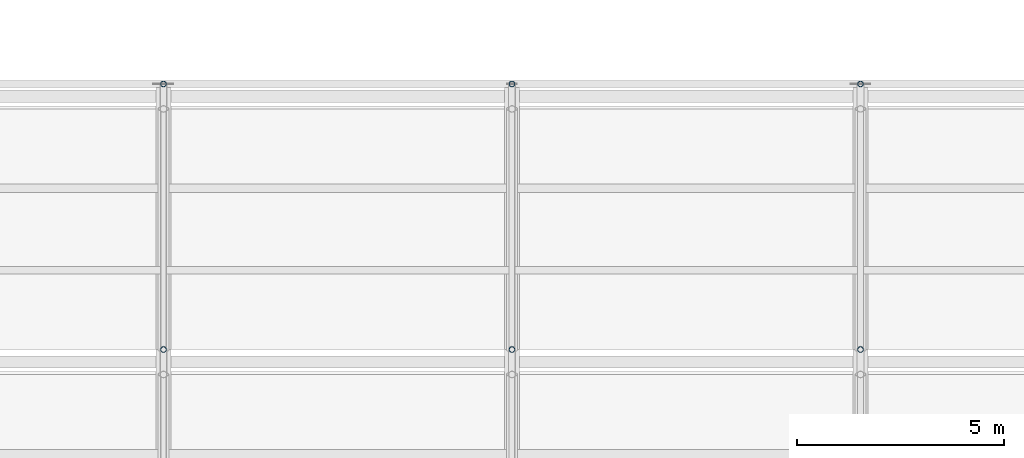
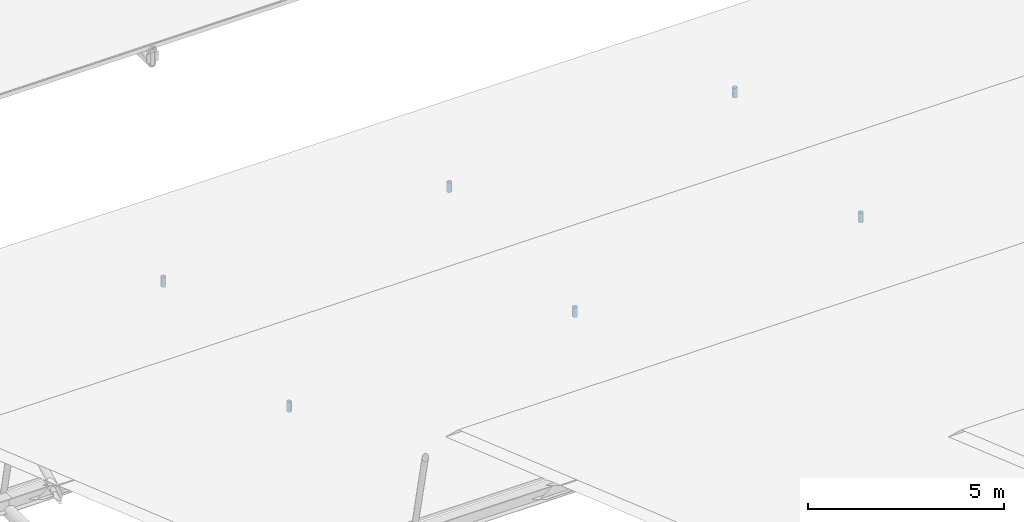
# One storey, part 128 of 194: 6 members.
"""IFC4 building model written with IfcOpenShell, lengths in metres."""

from ifc_helpers import new_model, si_unit, direction, frame, origin, origin_2d, place, context, subcontext, project, spatial, hollow_circle, extrude, material, material_profile, profile_set, type_object, element, save


model = new_model("IFC4")

# Units and contexts
model_context = context("Model", 3, precision=1e-05, world=origin(), true_north=direction((0.0, 1.0)))
body_context = subcontext(model_context, "Body", "Model", "MODEL_VIEW")
ifc_project = project(units=[si_unit("LENGTHUNIT", "METRE"), si_unit("AREAUNIT", "SQUARE_METRE"), si_unit("VOLUMEUNIT", "CUBIC_METRE"), si_unit("PLANEANGLEUNIT", "RADIAN"), si_unit("MASSUNIT", "GRAM", prefix="KILO")], contexts=[model_context])

# Site, building, storey
site_placement = place(None, origin())
site = spatial("IfcSite", under=ifc_project, at=site_placement, CompositionType="ELEMENT")
building_placement = place(site_placement, origin())
building = spatial("IfcBuilding", under=site, at=building_placement, Name="Kazenagashi Tramway Depot", CompositionType="ELEMENT")
storey_placement = place(building_placement, frame((0.0, 0.0, 23.7)))
storey = spatial("IfcBuildingStorey", under=building, at=storey_placement, Name="ROOF", CompositionType="ELEMENT", Elevation=23.7)

# Members
ifc_material = material(Name="Steel STK490", Category="steel")
ifc_material_profile = material_profile(ifc_material, hollow_circle(Radius=0.0699, WallThickness=0.0066, at=origin_2d()), Name="CHS-139.8x6.6")
ifc_profile_set = profile_set([ifc_material_profile], Name="Steel STK490")
member_type = type_object("IfcMemberType", Name="TS-02", PredefinedType="STRUT", material=ifc_profile_set)
for number, where, z_axis, x_axis, name in (
    (1, (103.6, 48.5, -8.9), (0.0, 0.0, 1.0), (1.0, 0.0, 0.0), "Roof Truss TS-02 MEM-1374"),
    (2, (103.6, 54.9, -8.9), (0.0, 0.0, 1.0), (1.0, 0.0, 0.0), "Roof Truss TS-02 MEM-1376"),
    (3, (112.0, 48.5, -8.9), (0.0, 0.0, 1.0), (1.0, 0.0, 0.0), "Roof Truss TS-02 MEM-1403"),
    (4, (112.0, 54.9, -8.9), (0.0, 0.0, 1.0), (1.0, 0.0, 0.0), "Roof Truss TS-02 MEM-1405"),
    (5, (120.4, 48.5, -8.9), (0.0, 0.0, 1.0), (1.0, 0.0, 0.0), "Roof Truss TS-02 MEM-1432"),
    (6, (120.4, 54.9, -8.9), (0.0, 0.0, 1.0), (1.0, 0.0, 0.0), "Roof Truss TS-02 MEM-1434"),
):
    element("IfcMember", number, at=place(storey_placement, frame(where, z_axis=z_axis, x_axis=x_axis)), inside=storey, type_object=member_type, Name=name, PredefinedType="STRUT", context=body_context, shape_type="SweptSolid", body=[
        extrude(hollow_circle(Radius=0.0699, WallThickness=0.0066, at=origin_2d()), origin(), (0.0, 0.0, 1.0), 0.3),
    ])

save(model, "model.ifc")
